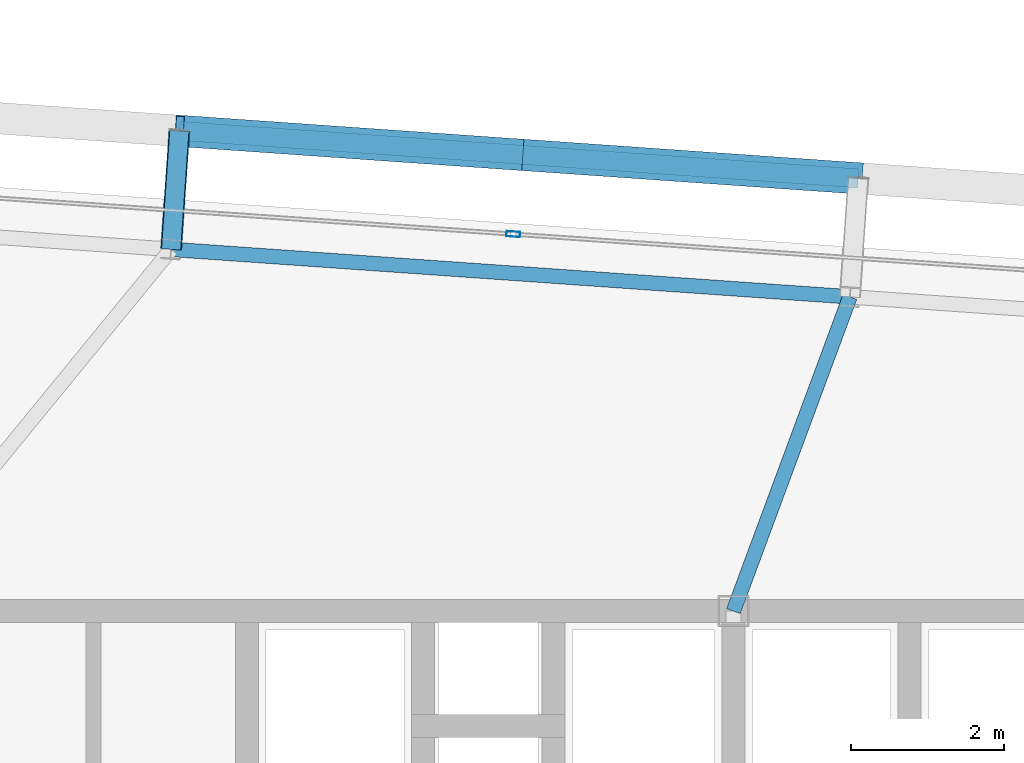
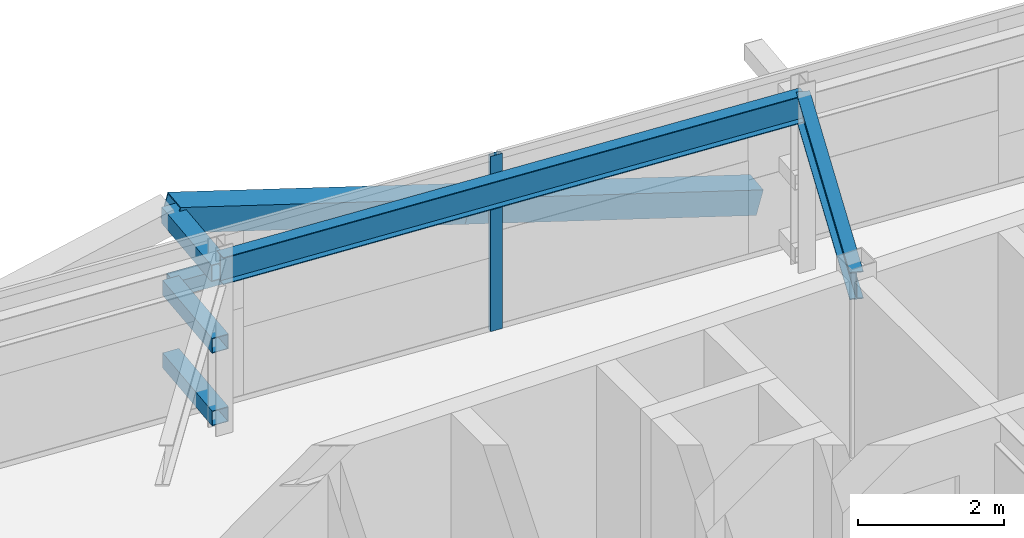
# One storey, part 22 of 39: 7 members, 2 beams, 1 element without a shape of its own.
"""IFC4 building model written with IfcOpenShell, lengths in metres."""

from ifc_helpers import new_model, si_unit, direction, frame, origin, origin_2d, place, context, subcontext, project, spatial, hollow_rectangle, i_section, extrude, source, transform, mapped, material, layer, layer_set, material_profile, profile_set, type_object, element, aggregate, save


model = new_model("IFC4")

# Units and contexts
model_context = context("Model", 3, precision=1e-05, world=origin(), true_north=direction((0.0, 1.0)))
body_context = subcontext(model_context, "Body", "Model", "MODEL_VIEW")
ifc_project = project(units=[si_unit("LENGTHUNIT", "METRE"), si_unit("AREAUNIT", "SQUARE_METRE"), si_unit("VOLUMEUNIT", "CUBIC_METRE"), si_unit("PLANEANGLEUNIT", "RADIAN"), si_unit("MASSUNIT", "GRAM", prefix="KILO")], contexts=[model_context])

# Site, building, storey
site_placement = place(None, origin())
site = spatial("IfcSite", under=ifc_project, at=site_placement, CompositionType="ELEMENT")
building_placement = place(site_placement, origin())
building = spatial("IfcBuilding", under=site, at=building_placement, Name="Taldren Reach Tower", CompositionType="ELEMENT")
storey_placement = place(building_placement, frame((0.0, 0.0, 136.14990234375)))
storey = spatial("IfcBuildingStorey", under=building, at=storey_placement, Name="L41", CompositionType="ELEMENT", Elevation=136.14990234375)

# Members
ifc_material_1 = material(Name="Steel Gr 450 (C450L0)", Category="steel")
ifc_material_profile_1 = material_profile(ifc_material_1, hollow_rectangle(XDim=0.27490234375, YDim=0.27490234375, WallThickness=0.00927734375, at=origin_2d()), Name="275x275x9.3SHS")
ifc_profile_set_1 = profile_set([ifc_material_profile_1], Name="Steel Gr 450 (C450L0)")
member_type_1 = type_object("IfcMemberType", Name="MB-TIE273", PredefinedType="STRUT", material=ifc_profile_set_1)
shared_shape_1 = source(origin(), body_context, "Body", "SweptSolid", [
    extrude(hollow_rectangle(XDim=0.27490234375, YDim=0.27490234375, WallThickness=0.00927734375, at=origin_2d()), origin(), (0.0, 0.0, 1.0), 1.5498046875),
])
member_1_placement = place(storey_placement, frame((31.861328125, 36.719970703125, 2.650146484375), z_axis=(0.069780535098, 0.997562367434, 0.0), x_axis=(-0.997562367434, 0.069780535098, 0.0)))
element("IfcMember", 1, at=member_1_placement, inside=storey, type_object=member_type_1, Name="Exoskeleton diaphragm tie strut B3-N3 L41", PredefinedType="STRUT", context=body_context, shape_type="MappedRepresentation", body=[
    mapped(shared_shape_1, transform((0.0, 0.0, 0.0), scale=1.0)),
])
ifc_material_2 = material(Name="Steel Gr 350 (C350L0)", Category="steel")
ifc_material_profile_2 = material_profile(ifc_material_2, hollow_rectangle(XDim=0.25, YDim=0.25, WallThickness=0.010009765625, at=origin_2d()), Name="250x250x10.0SHS")
ifc_profile_set_2 = profile_set([ifc_material_profile_2], Name="Steel Gr 350 (C350L0)")
member_type_2 = type_object("IfcMemberType", Name="MB-POST250", PredefinedType="POST", material=ifc_profile_set_2)
shared_shape_2 = source(origin(), body_context, "Body", "SweptSolid", [
    extrude(hollow_rectangle(XDim=0.25, YDim=0.25, WallThickness=0.010009765625, at=origin_2d()), origin(), (0.0, 0.0, 1.0), 1.5498046875),
])
for number, where, z_axis, x_axis, name in (
    (2, (31.861328125, 36.719970703125, 0.22021484375), (0.069780535098, 0.997562367434, 0.0), (-0.997562367434, 0.069780535098, 0.0), "Exoskeleton base diaphragm tie strut B3-N3 L41"),
    (3, (31.861328125, 36.719970703125, 1.43505859375), (0.069780535098, 0.997562367434, 0.0), (-0.997562367434, 0.069780535098, 0.0), "Exoskeleton mid-tier diaphragm tie B3-N3 L41"),
):
    element("IfcMember", number, at=place(storey_placement, frame(where, z_axis=z_axis, x_axis=x_axis)), inside=storey, type_object=member_type_2, Name=name, PredefinedType="POST", context=body_context, shape_type="MappedRepresentation", body=[
        mapped(shared_shape_2, transform((0.0, 0.0, 0.0), scale=1.0)),
    ])

# Beams
ifc_material_3 = material(Name="Steel Gr 350 (350PLUS)", Category="steel")
ifc_material_profile_3 = material_profile(ifc_material_3, i_section(OverallWidth=0.18994140625, OverallDepth=0.4541015625, WebThickness=0.008544921875, FlangeThickness=0.0126953125, at=origin_2d()), Name="460UB67.1")
ifc_profile_set_3 = profile_set([ifc_material_profile_3], Name="Steel Gr 350 (350PLUS)")
beam_type_1 = type_object("IfcBeamType", Name="SP-UB460B", PredefinedType="SPANDREL", material=ifc_profile_set_3)
shared_shape_3 = source(origin(), body_context, "Body", "SweptSolid", [
    extrude(i_section(OverallWidth=0.18994140625, OverallDepth=0.4541015625, WebThickness=0.008544921875, FlangeThickness=0.0126953125, at=origin_2d()), origin(), (0.0, 0.0, 1.0), 8.880126953125),
])
beam_1_placement = place(storey_placement, frame((40.7197265625, 36.100341796875, 2.703125), z_axis=(-0.997562566276, 0.06977769246, 0.0), x_axis=(-0.06977769246, -0.997562566276, 0.0)))
element("IfcBeam", 4, at=beam_1_placement, inside=storey, type_object=beam_type_1, Name="Perimeter spandrel B3 N4-N3 L41", PredefinedType="SPANDREL", context=body_context, shape_type="MappedRepresentation", body=[
    mapped(shared_shape_3, transform((0.0, 0.0, 0.0), scale=1.0)),
])
ifc_material_profile_4 = material_profile(ifc_material_3, i_section(OverallWidth=0.19091796875, OverallDepth=0.4599609375, WebThickness=0.010009765625, FlangeThickness=0.01611328125, at=origin_2d()), Name="460UB82.1")
ifc_profile_set_4 = profile_set([ifc_material_profile_4], Name="Steel Gr 350 (350PLUS)")
beam_type_2 = type_object("IfcBeamType", Name="BM-UB460A", PredefinedType="BEAM", material=ifc_profile_set_4)
shared_shape_4 = source(origin(), body_context, "Body", "SweptSolid", [
    extrude(i_section(OverallWidth=0.19091796875, OverallDepth=0.4599609375, WebThickness=0.010009765625, FlangeThickness=0.01611328125, at=origin_2d()), origin(), (0.0, 0.0, 1.0), 4.373046875),
])
beam_2_placement = place(storey_placement, frame((39.199951171875, 32.0, 2.7001953125), z_axis=(0.347541638975, 0.937664550454, 0.0), x_axis=(-0.937664550454, 0.347541638975, 0.0)))
element("IfcBeam", 5, at=beam_2_placement, inside=storey, type_object=beam_type_2, Name="Primary floor girder B3-N4 L41", PredefinedType="BEAM", context=body_context, shape_type="MappedRepresentation", body=[
    mapped(shared_shape_4, transform((0.0, 0.0, 0.0), scale=1.0)),
])

# Members
shared_shape_5 = source(origin(), body_context, "Body", "SweptSolid", [
    extrude(hollow_rectangle(XDim=0.25, YDim=0.25, WallThickness=0.010009765625, at=origin_2d()), origin(), (0.0, 0.0, 1.0), 8.880126953125),
])
member_2_placement = place(storey_placement, frame((31.969482421875, 38.26611328125, 1.43505859375), z_axis=(0.997564479639, -0.069750333063, 0.0), x_axis=(0.069750333063, 0.997564479639, 0.0)))
element("IfcMember", 6, at=member_2_placement, inside=storey, type_object=member_type_2, Name="Exoskeleton mid-height ring chord B3-N3 L41", PredefinedType="POST", context=body_context, shape_type="MappedRepresentation", body=[
    mapped(shared_shape_5, transform((0.0, 0.0, 0.0), scale=1.0)),
])
ifc_material_profile_5 = material_profile(ifc_material_1, hollow_rectangle(XDim=0.409912109375, YDim=0.409912109375, WallThickness=0.01611328125, at=origin_2d()), Name="410x410x16.0SHS")
ifc_profile_set_5 = profile_set([ifc_material_profile_5], Name="Steel Gr 450 (C450L0)")
member_type_3 = type_object("IfcMemberType", Name="MB-EXO406", PredefinedType="BRACE", material=ifc_profile_set_5)
shared_shape_6 = source(origin(), body_context, "Body", "SweptSolid", [
    extrude(hollow_rectangle(XDim=0.409912109375, YDim=0.409912109375, WallThickness=0.01611328125, at=origin_2d()), origin(), (0.0, 0.0, 1.0), 4.603271484375),
])
for number, where, z_axis, x_axis, name in (
    (7, (40.827880859375, 37.646728515625, 0.22021484375), (-0.962199253371, 0.067251055742, 0.263912660389), (-0.069722973508, -0.997566392259, 0.0), "Exoskeleton Diagrid Brace B3-N3 L41"),
    (8, (36.398681640625, 37.956298828125, 1.43505859375), (-0.962182351074, 0.067302910567, 0.263961060594), (-0.06977769246, -0.997562566276, 0.0), "Exoskeleton Diagrid Brace B3-N3 L41"),
):
    element("IfcMember", number, at=place(storey_placement, frame(where, z_axis=z_axis, x_axis=x_axis)), inside=storey, type_object=member_type_3, Name=name, PredefinedType="BRACE", context=body_context, shape_type="MappedRepresentation", body=[
        mapped(shared_shape_6, transform((0.0, 0.0, 0.0), scale=1.0)),
    ])

# Curtain wall, member
ifc_material_4 = material(Name="Aluminium and Low-E Glass Unitised System", Category="aluminium")
ifc_layer = layer(ifc_material_4, 0.159912109375)
ifc_layer_set = layer_set([ifc_layer], Name="Aluminium and Low-E Glass Unitised System")
curtain_wall_type = type_object("IfcCurtainWallType", Name="CW-SYS-4", PredefinedType="NOTDEFINED", material=ifc_layer_set)
curtain_wall_placement = place(storey_placement, origin())
curtain_wall = element("IfcCurtainWall", 9, at=curtain_wall_placement, inside=storey, type_object=curtain_wall_type, Name="Unitised curtain wall CW-L41-N", PredefinedType="NOTDEFINED")
ifc_material_5 = material(Name="Anodised Aluminium 6063-T6", Category="aluminium")
ifc_material_profile_6 = material_profile(ifc_material_5, hollow_rectangle(XDim=0.070068359375, YDim=0.179931640625, WallThickness=0.00390625, at=origin_2d()), Name="ALU-180x70x4RHS")
ifc_profile_set_6 = profile_set([ifc_material_profile_6], Name="Anodised Aluminium 6063-T6")
member_type_4 = type_object("IfcMemberType", Name="CW-MUL-180", PredefinedType="MULLION", material=ifc_profile_set_6)
shared_shape_7 = source(origin(), body_context, "Body", "SweptSolid", [
    extrude(hollow_rectangle(XDim=0.070068359375, YDim=0.179931640625, WallThickness=0.00390625, at=origin_2d()), origin(), (0.0, 0.0, 1.0), 2.93017578125),
])
member_3_placement = place(storey_placement, frame((36.326171875, 36.9189453125, 0.0), z_axis=(0.0, 0.0, 1.0), x_axis=(-0.06975651593, -0.99756404731, 0.0)))
member_3 = element("IfcMember", 10, at=member_3_placement, type_object=member_type_4, Name="CW-4 mullion 3", PredefinedType="MULLION", context=body_context, shape_type="MappedRepresentation", body=[
    mapped(shared_shape_7, transform((0.0, 0.0, 0.0), scale=1.0)),
])
aggregate(curtain_wall, [member_3])

save(model, "model.ifc")
